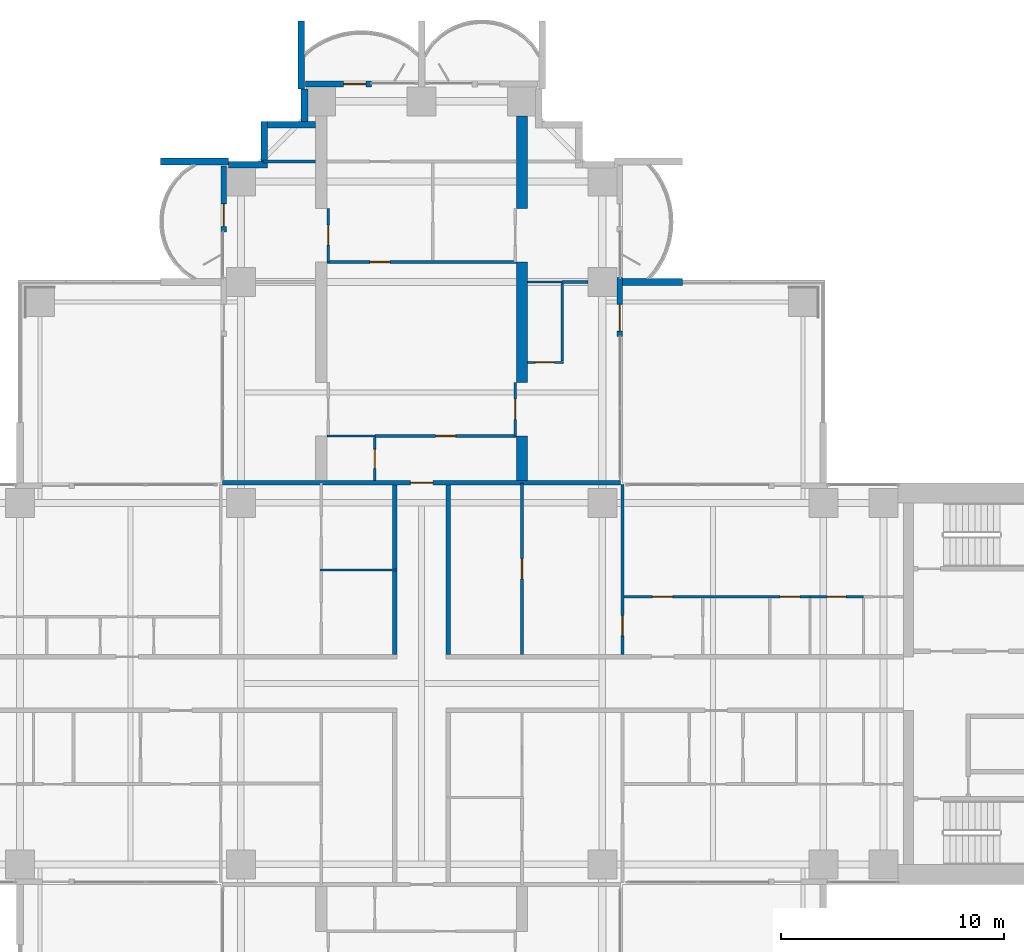
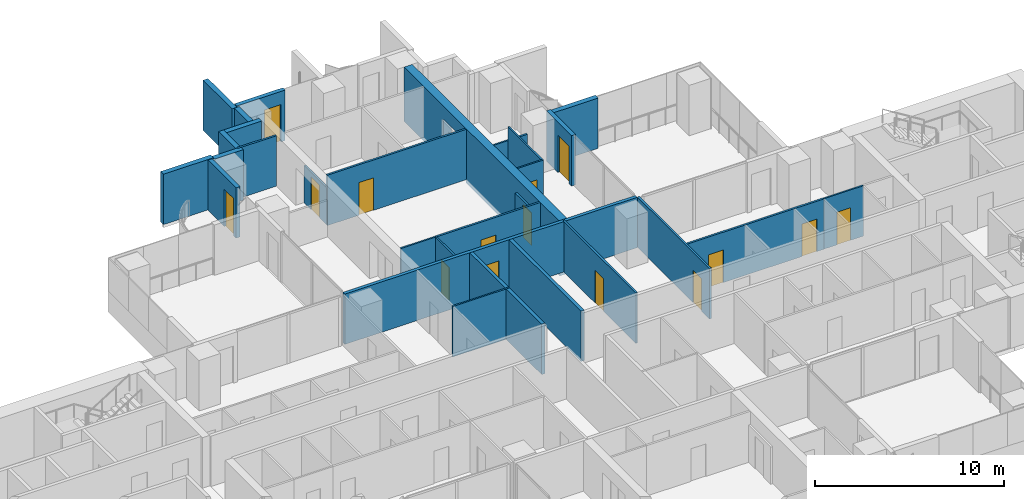
# One storey, part 14 of 21: 30 walls, 15 doors, 15 openings.
"""IFC4 building model written with IfcOpenShell, lengths in metres."""

import ifcopenshell
import ifcopenshell.guid

model = None  # the IFC model being written
_history = None  # IfcOwnerHistory: only IFC2X3 demands one
_inside = {}  # id of a spatial element -> (the spatial element, [elements in it])
_under = {}  # id of a project, library or spatial element -> (it, [spatial elements below it])
_declared = {}  # id of a project -> (the project, [libraries it declares])
_typed = {}  # id of a type object -> (the type object, [elements of that type])
_made_of = {}  # id of a material, layer set ... -> (it, [elements and type objects made of it])


def new_model(schema):
    """Start an empty IFC model of exactly this schema.

    Asked for "IFC4X3", IfcOpenShell would pick the latest addendum, in which some entities
    have other attributes; the version numbers below select the first issue.
    IFC2X3 requires an IfcOwnerHistory on every rooted entity: one is made here for all.
    """
    global model, _history
    if schema == "IFC4X3":
        model = ifcopenshell.file(schema_version=(4, 3, 0, 0))
    else:
        model = ifcopenshell.file(schema=schema)
    _inside.clear()
    _under.clear()
    _declared.clear()
    _typed.clear()
    _made_of.clear()
    _history = None
    if model.schema == "IFC2X3":
        org = make("IfcOrganization", Name="unknown")
        user = make(
            "IfcPersonAndOrganization",
            ThePerson=make("IfcPerson", FamilyName="unknown"),
            TheOrganization=org,
        )
        app = make(
            "IfcApplication",
            ApplicationDeveloper=org,
            Version="unknown",
            ApplicationFullName="unknown",
            ApplicationIdentifier="unknown",
        )
        _history = make(
            "IfcOwnerHistory",
            OwningUser=user,
            OwningApplication=app,
            ChangeAction="ADDED",
            CreationDate=0,
        )
    return model


def make(cls, **values):
    """One entity of the class cls with the attributes given. An attribute that is None is left unset."""
    return model.create_entity(
        cls, **{name: value for name, value in values.items() if value is not None}
    )


def rooted(cls, **values):
    """An entity with a GlobalId (a new one), such as an element, a storey or a relation."""
    return make(cls, GlobalId=ifcopenshell.guid.new(), OwnerHistory=_history, **values)


def si_unit(unit_type, name, prefix=None):
    """IfcSIUnit, for example si_unit("LENGTHUNIT", "METRE", prefix="MILLI")."""
    return make("IfcSIUnit", UnitType=unit_type, Prefix=prefix, Name=name)


def assignment(units):
    """IfcUnitAssignment: the units of a project."""
    return None if units is None else make("IfcUnitAssignment", Units=units)


def point(xyz):
    """IfcCartesianPoint."""
    return None if xyz is None else make("IfcCartesianPoint", Coordinates=xyz)


def direction(xyz):
    """IfcDirection."""
    return None if xyz is None else make("IfcDirection", DirectionRatios=xyz)


def frame(location, z_axis=None, x_axis=None):
    """IfcAxis2Placement3D, a coordinate frame: its origin and axes. An axis left out is left unset."""
    return make(
        "IfcAxis2Placement3D",
        Location=point(location),
        Axis=direction(z_axis),
        RefDirection=direction(x_axis),
    )


def frame_2d(location, x_axis=None):
    """IfcAxis2Placement2D, a coordinate frame in the plane: its origin and x axis."""
    return make(
        "IfcAxis2Placement2D", Location=point(location), RefDirection=direction(x_axis)
    )


def origin():
    """The frame at (0, 0, 0) with its axes left unset."""
    return frame((0.0, 0.0, 0.0))


def place(relative_to, where):
    """IfcLocalPlacement: puts the frame where relative to a parent placement (None: the world)."""
    return make(
        "IfcLocalPlacement", PlacementRelTo=relative_to, RelativePlacement=where
    )


def context(
    kind, dimensions, precision=None, world=None, true_north=None, identifier=None
):
    """IfcGeometricRepresentationContext, for example the 3D "Model" context."""
    return make(
        "IfcGeometricRepresentationContext",
        ContextIdentifier=identifier,
        ContextType=kind,
        CoordinateSpaceDimension=dimensions,
        Precision=precision,
        WorldCoordinateSystem=world,
        TrueNorth=true_north,
    )


def subcontext(parent, identifier, kind, view, scale=None):
    """IfcGeometricRepresentationSubContext, for example "Body" below "Model"."""
    return make(
        "IfcGeometricRepresentationSubContext",
        ContextIdentifier=identifier,
        ContextType=kind,
        ParentContext=parent,
        TargetScale=scale,
        TargetView=view,
    )


def project(units=None, contexts=None):
    """IfcProject with its units and contexts."""
    return rooted(
        "IfcProject",
        Name="project",
        RepresentationContexts=contexts,
        UnitsInContext=assignment(units),
    )


def spatial(cls, under=None, at=None, **own):
    """A site, building, storey or space (cls), placed at a placement, below another one or the project."""
    s = rooted(cls, ObjectPlacement=at, **own)
    if under is not None:
        _under.setdefault(under.id(), (under, []))[1].append(s)
    return s


def polyline(points):
    """IfcPolyline through the points."""
    return make("IfcPolyline", Points=[point(p) for p in points])


def profile(cls, at=None, kind="AREA", **sizes):
    """A parametric profile (cls). Its sizes go by their IFC names, for example OverallWidth=200.0."""
    return make(cls, ProfileType=kind, Position=at, **sizes)


def rectangle(**sizes):
    """IfcRectangleProfileDef."""
    return profile("IfcRectangleProfileDef", **sizes)


def outline(outer, holes=None, kind="AREA"):
    """IfcArbitraryClosedProfileDef: a profile drawn as a closed curve; with holes, ...WithVoids."""
    if holes is None:
        return make("IfcArbitraryClosedProfileDef", ProfileType=kind, OuterCurve=outer)
    return make(
        "IfcArbitraryProfileDefWithVoids",
        ProfileType=kind,
        OuterCurve=outer,
        InnerCurves=holes,
    )


def extrude(swept, where, along, depth):
    """IfcExtrudedAreaSolid: the profile swept, set in the frame where, extruded along a direction by depth."""
    return make(
        "IfcExtrudedAreaSolid",
        SweptArea=swept,
        Position=where,
        ExtrudedDirection=direction(along),
        Depth=depth,
    )


def shape(context_of_items, identifier, shape_type, items):
    """IfcShapeRepresentation: the items that make up one representation, for example the "Body"."""
    return make(
        "IfcShapeRepresentation",
        ContextOfItems=context_of_items,
        RepresentationIdentifier=identifier,
        RepresentationType=shape_type,
        Items=items,
    )


def material(Name=None, Category=None):
    """IfcMaterial."""
    return make("IfcMaterial", Name=Name, Category=Category)


def layer(
    of_material, thickness, ventilated=None, Name=None, Category=None, Priority=None
):
    """IfcMaterialLayer: one layer of a wall or slab, of a material (None: an air gap)."""
    return make(
        "IfcMaterialLayer",
        Material=of_material,
        LayerThickness=thickness,
        IsVentilated=ventilated,
        Name=Name,
        Category=Category,
        Priority=Priority,
    )


def layer_set(layers, Name=None):
    """IfcMaterialLayerSet."""
    return make("IfcMaterialLayerSet", MaterialLayers=layers, LayerSetName=Name)


def material_profile(
    of_material, cross_section, Name=None, Category=None, Priority=None
):
    """IfcMaterialProfile: a cross section and its material."""
    return make(
        "IfcMaterialProfile",
        Name=Name,
        Material=of_material,
        Profile=cross_section,
        Priority=Priority,
        Category=Category,
    )


def profile_set(profiles, Name=None, composite=None):
    """IfcMaterialProfileSet."""
    return make(
        "IfcMaterialProfileSet",
        Name=Name,
        MaterialProfiles=profiles,
        CompositeProfile=composite,
    )


def made_of(thing, what):
    """Note that an element or type object is made of a material, layer set ...; save() writes the relation."""
    if what is not None:
        _made_of.setdefault(what.id(), (what, []))[1].append(thing)
    return thing


def type_object(cls, material=None, **own):
    """A type object (cls), such as IfcWallType, which elements share."""
    return made_of(rooted(cls, **own), material)


def element(
    cls,
    number,
    at=None,
    inside=None,
    cuts=None,
    type_object=None,
    material=None,
    context=None,
    identifier="Body",
    shape_type=None,
    held_by="IfcProductDefinitionShape",
    body=None,
    shapes=None,
    **own,
):
    """One element of the class cls, such as IfcWall. Its Tag is "e" and its number.

    at: its placement. inside: the storey or other place that contains it. cuts: it is an
    opening in that element (IfcRelVoidsElement). A single representation is given by context,
    identifier, shape_type and body (its items); several are given by shapes. held_by: the class
    of the entity that holds the representations. save() writes the other relations.
    """
    e = rooted(cls, Tag="e%d" % number, ObjectPlacement=at, **own)
    if body is not None:
        shapes = [shape(context, identifier, shape_type, body)]
    if shapes is not None:
        e.Representation = make(held_by, Representations=shapes)
    if inside is not None:
        _inside.setdefault(inside.id(), (inside, []))[1].append(e)
    if cuts is not None:
        rooted(
            "IfcRelVoidsElement", RelatingBuildingElement=cuts, RelatedOpeningElement=e
        )
    if type_object is not None:
        _typed.setdefault(type_object.id(), (type_object, []))[1].append(e)
    return made_of(e, material)


def fill(opening, filler):
    """IfcRelFillsElement: the door or window that sits in an opening."""
    return rooted(
        "IfcRelFillsElement",
        RelatingOpeningElement=opening,
        RelatedBuildingElement=filler,
    )


def aggregate(whole, parts):
    """IfcRelAggregates: a whole, such as a stair, and the parts it consists of."""
    return rooted("IfcRelAggregates", RelatingObject=whole, RelatedObjects=parts)


def save(model, path):
    """Write the relations noted so far, then the file.

    IfcRelAggregates (storeys below a building ...), IfcRelContainedInSpatialStructure (elements
    in a storey), IfcRelDefinesByType, IfcRelAssociatesMaterial and IfcRelDeclares: one each for
    every whole, place, type object, material and project.
    """
    for whole, parts in _under.values():
        aggregate(whole, parts)
    for where, things in _inside.values():
        rooted(
            "IfcRelContainedInSpatialStructure",
            RelatedElements=things,
            RelatingStructure=where,
        )
    for kind, things in _typed.values():
        rooted("IfcRelDefinesByType", RelatedObjects=things, RelatingType=kind)
    for what, things in _made_of.values():
        rooted("IfcRelAssociatesMaterial", RelatedObjects=things, RelatingMaterial=what)
    for by, libraries in _declared.values():
        rooted("IfcRelDeclares", RelatingContext=by, RelatedDefinitions=libraries)
    model.write(path)


model = new_model("IFC4")

# Units and contexts
model_context = context("Model", 3, precision=1e-05, world=origin(), true_north=direction((0.0, 1.0)))
body_context = subcontext(model_context, "Body", "Model", "MODEL_VIEW")
ifc_project = project(units=[si_unit("LENGTHUNIT", "METRE"), si_unit("AREAUNIT", "SQUARE_METRE"), si_unit("VOLUMEUNIT", "CUBIC_METRE"), si_unit("PLANEANGLEUNIT", "RADIAN"), si_unit("MASSUNIT", "GRAM", prefix="KILO")], contexts=[model_context])

# Site, building, storey
site_placement = place(None, origin())
site = spatial("IfcSite", under=ifc_project, at=site_placement, CompositionType="ELEMENT")
building_placement = place(site_placement, origin())
building = spatial("IfcBuilding", under=site, at=building_placement, Name="Perihelion Cross Residences", CompositionType="ELEMENT")
storey_placement = place(building_placement, frame((0.0, 0.0, 47.0)))
storey = spatial("IfcBuildingStorey", under=building, at=storey_placement, Name="L08", CompositionType="ELEMENT", Elevation=47.0)

# Walls
ifc_material_1 = material(Name="Plasterboard partition")
ifc_layer_1 = layer(ifc_material_1, 0.199951171875)
ifc_layer_set_1 = layer_set([ifc_layer_1], Name="Apartment separation wall 200")
wall_type_1 = type_object("IfcWallType", Name="Apartment separation wall 200", PredefinedType="PARTITIONING", material=ifc_layer_set_1)
for number, where, z_axis, x_axis, name in (
    (1, (1.199951171875, 8.89990234375, 0.0), (0.0, 0.0, 1.0), (0.0, -1.0, 0.0), "Partition L08 W002"),
    (2, (-1.199951171875, 1.300048828125, 0.0), (0.0, 0.0, 1.0), (0.0, 1.0, 0.0), "Partition L08 W006"),
):
    element("IfcWall", number, at=place(storey_placement, frame(where, z_axis=z_axis, x_axis=x_axis)), inside=storey, type_object=wall_type_1, Name=name, PredefinedType="PARTITIONING", context=body_context, shape_type="SweptSolid", body=[
        extrude(rectangle(XDim=7.599853515625, YDim=0.199951171875, at=frame_2d((3.7998046875, 0.0))), origin(), (0.0, 0.0, 1.0), 3.25),
    ])

# Wall, opening, door
wall_1_placement = place(storey_placement, frame((-8.919921875, 9.0, 0.0), z_axis=(0.0, 0.0, 1.0), x_axis=(1.0, 0.0, 0.0)))
wall_1 = element("IfcWall", 3, at=wall_1_placement, inside=storey, type_object=wall_type_1, Name="Partition L08 W009", PredefinedType="PARTITIONING", context=body_context, shape_type="SweptSolid", body=[
    extrude(rectangle(XDim=17.83984375, YDim=0.199951171875, at=frame_2d((8.919921875, 0.0))), origin(), (0.0, 0.0, 1.0), 3.25),
])
opening_1_placement = place(wall_1_placement, frame((8.419921875, 0.0, 0.0)))
opening_1 = element("IfcOpeningElement", 4, at=opening_1_placement, cuts=wall_1, Name="Opening L08.A32", PredefinedType="OPENING", context=body_context, shape_type="SweptSolid", body=[
    extrude(rectangle(XDim=1.0, YDim=2.10009765625, at=frame_2d((0.5, 1.050048828125))), frame((0.0, 0.10986328125, 0.0), z_axis=(0.0, -1.0, 0.0), x_axis=(1.0, 0.0, 0.0)), (0.0, 0.0, 1.0), 0.219970703125),
])
ifc_material_2 = material(Name="Timber door leaf", Category="wood")
door_type_1 = type_object("IfcDoorType", Name="Flat entrance door 1000 x 2100", OperationType="SINGLE_SWING_LEFT", PredefinedType="DOOR", material=ifc_material_2)
door_1_placement = place(opening_1_placement, origin())
door_1 = element("IfcDoor", 5, at=door_1_placement, inside=storey, type_object=door_type_1, Name="Door L08.A32", OperationType="SINGLE_SWING_RIGHT", OverallHeight=2.10009765625, OverallWidth=1.0, PredefinedType="DOOR", context=body_context, shape_type="SweptSolid", body=[
    extrude(rectangle(XDim=1.0, YDim=2.10009765625, at=frame_2d((0.5, 1.050048828125))), frame((0.0, 0.02490234375, 0.0), z_axis=(0.0, -1.0, 0.0), x_axis=(1.0, 0.0, 0.0)), (0.0, 0.0, 1.0), 0.050048828125),
])
fill(opening_1, door_1)

ifc_material_3 = material(Name="Concrete C30/37, bronze-clad", Category="concrete")
ifc_layer_2 = layer(ifc_material_3, 0.25)
ifc_layer_set_2 = layer_set([ifc_layer_2], Name="Bronze-clad pier wall 250")
wall_type_2 = type_object("IfcWallType", Name="Bronze-clad pier wall 250", PredefinedType="SOLIDWALL", material=ifc_layer_set_2)
wall_2_placement = place(storey_placement, frame((8.875, 15.550048828125, 0.0), z_axis=(0.0, 0.0, 1.0), x_axis=(0.0, 1.0, 0.0)))
wall_2 = element("IfcWall", 6, at=wall_2_placement, inside=storey, type_object=wall_type_2, Name="Wall FW1 L08 north side east bay 1 pier", PredefinedType="SOLIDWALL", context=body_context, shape_type="SweptSolid", body=[
    extrude(rectangle(XDim=2.64990234375, YDim=0.25, at=frame_2d((1.324951171875, 0.0))), origin(), (0.0, 0.0, 1.0), 3.25),
])
opening_2_placement = place(wall_2_placement, frame((0.25, 0.0, 0.0)))
opening_2 = element("IfcOpeningElement", 7, at=opening_2_placement, cuts=wall_2, Name="Opening L08.E02", PredefinedType="OPENING", context=body_context, shape_type="SweptSolid", body=[
    extrude(rectangle(XDim=1.199951171875, YDim=2.39990234375, at=frame_2d((0.60009765625, 1.199951171875))), frame((0.0, 0.135009765625, 0.0), z_axis=(0.0, -1.0, 0.0), x_axis=(1.0, 0.0, 0.0)), (0.0, 0.0, 1.0), 0.27001953125),
])
ifc_material_4 = material(Name="Bronze anodised aluminium, glazed", Category="aluminium")
door_type_2 = type_object("IfcDoorType", Name="Balcony door 1200 x 2400", OperationType="NOTDEFINED", PredefinedType="DOOR", material=ifc_material_4)
door_2_placement = place(opening_2_placement, origin())
door_2 = element("IfcDoor", 8, at=door_2_placement, inside=storey, type_object=door_type_2, Name="Door L08.E02 north side east bay 1", OperationType="SINGLE_SWING_LEFT", OverallHeight=2.39990234375, OverallWidth=1.199951171875, PredefinedType="DOOR", context=body_context, shape_type="SweptSolid", body=[
    extrude(rectangle(XDim=1.199951171875, YDim=2.39990234375, at=frame_2d((0.60009765625, 1.199951171875))), frame((0.0, 0.02490234375, 0.0), z_axis=(0.0, -1.0, 0.0), x_axis=(1.0, 0.0, 0.0)), (0.0, 0.0, 1.0), 0.050048828125),
])
fill(opening_2, door_2)

wall_3_placement = place(storey_placement, frame((-2.25, 26.875, 0.0), z_axis=(0.0, 0.0, 1.0), x_axis=(-1.0, 0.0, 0.0)))
wall_3 = element("IfcWall", 9, at=wall_3_placement, inside=storey, type_object=wall_type_2, Name="Wall FW1 L08 north tip north bay 2 pier", PredefinedType="SOLIDWALL", context=body_context, shape_type="SweptSolid", body=[
    extrude(rectangle(XDim=2.949951171875, YDim=0.25, at=frame_2d((1.47509765625, 0.0))), origin(), (0.0, 0.0, 1.0), 3.25),
])
opening_3_placement = place(wall_3_placement, frame((0.25, 0.0, 0.0)))
opening_3 = element("IfcOpeningElement", 10, at=opening_3_placement, cuts=wall_3, Name="Opening L08.E05", PredefinedType="OPENING", context=body_context, shape_type="SweptSolid", body=[
    extrude(rectangle(XDim=1.0, YDim=2.39990234375, at=frame_2d((0.5, 1.199951171875))), frame((0.0, 0.135009765625, 0.0), z_axis=(0.0, -1.0, 0.0), x_axis=(1.0, 0.0, 0.0)), (0.0, 0.0, 1.0), 0.27001953125),
])
ifc_material_5 = material(Name="Bronze anodised aluminium, glazed", Category="aluminium")
door_type_3 = type_object("IfcDoorType", Name="Balcony door 1000 x 2400", OperationType="NOTDEFINED", PredefinedType="DOOR", material=ifc_material_5)
door_3_placement = place(opening_3_placement, origin())
door_3 = element("IfcDoor", 11, at=door_3_placement, inside=storey, type_object=door_type_3, Name="Door L08.E05 north tip north bay 2", OperationType="SINGLE_SWING_RIGHT", OverallHeight=2.39990234375, OverallWidth=1.0, PredefinedType="DOOR", context=body_context, shape_type="SweptSolid", body=[
    extrude(rectangle(XDim=1.0, YDim=2.39990234375, at=frame_2d((0.5, 1.199951171875))), frame((0.0, 0.02490234375, 0.0), z_axis=(0.0, -1.0, 0.0), x_axis=(1.0, 0.0, 0.0)), (0.0, 0.0, 1.0), 0.050048828125),
])
fill(opening_3, door_3)

wall_4_placement = place(storey_placement, frame((-8.875, 23.199951171875, 0.0), z_axis=(0.0, 0.0, 1.0), x_axis=(0.0, -1.0, 0.0)))
wall_4 = element("IfcWall", 12, at=wall_4_placement, inside=storey, type_object=wall_type_2, Name="Wall FW1 L08 north side west bay 1 pier", PredefinedType="SOLIDWALL", context=body_context, shape_type="SweptSolid", body=[
    extrude(rectangle(XDim=2.949951171875, YDim=0.25, at=frame_2d((1.47509765625, 0.0))), origin(), (0.0, 0.0, 1.0), 3.25),
])
opening_4_placement = place(wall_4_placement, frame((1.699951171875, 0.0, 0.0)))
opening_4 = element("IfcOpeningElement", 13, at=opening_4_placement, cuts=wall_4, Name="Opening L08.E06", PredefinedType="OPENING", context=body_context, shape_type="SweptSolid", body=[
    extrude(rectangle(XDim=1.0, YDim=2.39990234375, at=frame_2d((0.5, 1.199951171875))), frame((0.0, 0.135009765625, 0.0), z_axis=(0.0, -1.0, 0.0), x_axis=(1.0, 0.0, 0.0)), (0.0, 0.0, 1.0), 0.27001953125),
])
door_4_placement = place(opening_4_placement, origin())
door_4 = element("IfcDoor", 14, at=door_4_placement, inside=storey, type_object=door_type_3, Name="Door L08.E06 north side west bay 1", OperationType="SINGLE_SWING_LEFT", OverallHeight=2.39990234375, OverallWidth=1.0, PredefinedType="DOOR", context=body_context, shape_type="SweptSolid", body=[
    extrude(rectangle(XDim=1.0, YDim=2.39990234375, at=frame_2d((0.5, 1.199951171875))), frame((0.0, 0.02490234375, 0.0), z_axis=(0.0, -1.0, 0.0), x_axis=(1.0, 0.0, 0.0)), (0.0, 0.0, 1.0), 0.050048828125),
])
fill(opening_4, door_4)

# Walls
ifc_material_6 = material(Name="Concrete C30/37, bronze-clad", Category="concrete")
ifc_layer_3 = layer(ifc_material_6, 0.300048828125)
ifc_layer_set_3 = layer_set([ifc_layer_3], Name="Bronze-clad serration wall 300")
wall_type_3 = type_object("IfcWallType", Name="Bronze-clad serration wall 300", PredefinedType="SOLIDWALL", material=ifc_layer_set_3)
wall_5_placement = place(storey_placement, frame((-5.25, 26.64990234375, 0.0), z_axis=(0.0, 0.0, 1.0), x_axis=(0.0, -1.0, 0.0)))
element("IfcWall", 15, at=wall_5_placement, inside=storey, type_object=wall_type_3, Name="Wall SR1 L08 north corner north-west 1", PredefinedType="SOLIDWALL", context=body_context, shape_type="SweptSolid", body=[
    extrude(rectangle(XDim=1.449951171875, YDim=0.300048828125, at=frame_2d((0.72509765625, 0.0))), origin(), (0.0, 0.0, 1.0), 3.25),
])
wall_6_placement = place(storey_placement, frame((-4.75, 25.050048828125, 0.0), z_axis=(0.0, 0.0, 1.0), x_axis=(-1.0, 0.0, 0.0)))
element("IfcWall", 16, at=wall_6_placement, inside=storey, type_object=wall_type_3, Name="Wall SR1 L08 north corner north-west 2", PredefinedType="SOLIDWALL", context=body_context, shape_type="SweptSolid", body=[
    extrude(rectangle(XDim=2.14990234375, YDim=0.300048828125, at=frame_2d((1.074951171875, 0.0))), origin(), (0.0, 0.0, 1.0), 3.25),
])
wall_7_placement = place(storey_placement, frame((-7.050048828125, 25.199951171875, 0.0), z_axis=(0.0, 0.0, 1.0), x_axis=(0.0, -1.0, 0.0)))
element("IfcWall", 17, at=wall_7_placement, inside=storey, type_object=wall_type_3, Name="Wall SR1 L08 north corner north-west 3", PredefinedType="SOLIDWALL", context=body_context, shape_type="SweptSolid", body=[
    extrude(rectangle(XDim=1.800048828125, YDim=0.300048828125, at=frame_2d((0.89990234375, 0.0))), origin(), (0.0, 0.0, 1.0), 3.25),
])
wall_8_placement = place(storey_placement, frame((-6.89990234375, 23.25, 0.0), z_axis=(0.0, 0.0, 1.0), x_axis=(-1.0, 0.0, 0.0)))
element("IfcWall", 18, at=wall_8_placement, inside=storey, type_object=wall_type_3, Name="Wall SR1 L08 north corner north-west 4", PredefinedType="SOLIDWALL", context=body_context, shape_type="SweptSolid", body=[
    extrude(rectangle(XDim=1.75, YDim=0.300048828125, at=frame_2d((0.875, 0.0))), origin(), (0.0, 0.0, 1.0), 3.25),
])

# Wall, opening, door
ifc_material_7 = material(Name="Plasterboard partition")
ifc_layer_4 = layer(ifc_material_7, 0.1201171875)
ifc_layer_set_4 = layer_set([ifc_layer_4], Name="Infill panel 120")
wall_type_4 = type_object("IfcWallType", Name="Infill panel 120", PredefinedType="PARTITIONING", material=ifc_layer_set_4)
wall_9_placement = place(storey_placement, frame((4.18994140625, 11.10009765625, 0.0), z_axis=(0.0, 0.0, 1.0), x_axis=(0.0, 1.0, 0.0)))
wall_9 = element("IfcWall", 19, at=wall_9_placement, inside=storey, type_object=wall_type_4, Name="Partition L08 WI01", PredefinedType="PARTITIONING", context=body_context, shape_type="SweptSolid", body=[
    extrude(rectangle(XDim=2.39990234375, YDim=0.1201171875, at=frame_2d((1.199951171875, 0.0))), origin(), (0.0, 0.0, 1.0), 2.39990234375),
])
opening_5_placement = place(wall_9_placement, frame((0.75, 0.0, 0.0)))
opening_5 = element("IfcOpeningElement", 20, at=opening_5_placement, cuts=wall_9, Name="Opening L08.A51", PredefinedType="OPENING", context=body_context, shape_type="SweptSolid", body=[
    extrude(rectangle(XDim=0.89990234375, YDim=2.10009765625, at=frame_2d((0.449951171875, 1.050048828125))), frame((0.0, 0.070068359375, 0.0), z_axis=(0.0, -1.0, 0.0), x_axis=(1.0, 0.0, 0.0)), (0.0, 0.0, 1.0), 0.14013671875),
])
ifc_material_8 = material(Name="Timber door leaf", Category="wood")
door_type_4 = type_object("IfcDoorType", Name="Interior room door 900 x 2100", OperationType="SINGLE_SWING_LEFT", PredefinedType="DOOR", material=ifc_material_8)
door_5_placement = place(opening_5_placement, origin())
door_5 = element("IfcDoor", 21, at=door_5_placement, inside=storey, type_object=door_type_4, Name="Door L08.A51", OperationType="SINGLE_SWING_LEFT", OverallHeight=2.10009765625, OverallWidth=0.89990234375, PredefinedType="DOOR", context=body_context, shape_type="SweptSolid", body=[
    extrude(rectangle(XDim=0.89990234375, YDim=2.10009765625, at=frame_2d((0.449951171875, 1.050048828125))), frame((0.0, 0.02490234375, 0.0), z_axis=(0.0, -1.0, 0.0), x_axis=(1.0, 0.0, 0.0)), (0.0, 0.0, 1.0), 0.050048828125),
])
fill(opening_5, door_5)

wall_10_placement = place(storey_placement, frame((-4.18994140625, 18.89990234375, 0.0), z_axis=(0.0, 0.0, 1.0), x_axis=(0.0, 1.0, 0.0)))
wall_10 = element("IfcWall", 22, at=wall_10_placement, inside=storey, type_object=wall_type_4, Name="Partition L08 WI04", PredefinedType="PARTITIONING", context=body_context, shape_type="SweptSolid", body=[
    extrude(rectangle(XDim=2.400146484375, YDim=0.1201171875, at=frame_2d((1.2001953125, 0.0))), origin(), (0.0, 0.0, 1.0), 2.39990234375),
])
opening_6_placement = place(wall_10_placement, frame((0.75, 0.0, 0.0)))
opening_6 = element("IfcOpeningElement", 23, at=opening_6_placement, cuts=wall_10, Name="Opening L08.A54", PredefinedType="OPENING", context=body_context, shape_type="SweptSolid", body=[
    extrude(rectangle(XDim=0.89990234375, YDim=2.10009765625, at=frame_2d((0.449951171875, 1.050048828125))), frame((0.0, 0.070068359375, 0.0), z_axis=(0.0, -1.0, 0.0), x_axis=(1.0, 0.0, 0.0)), (0.0, 0.0, 1.0), 0.14013671875),
])
door_6_placement = place(opening_6_placement, origin())
door_6 = element("IfcDoor", 24, at=door_6_placement, inside=storey, type_object=door_type_4, Name="Door L08.A54", OperationType="SINGLE_SWING_LEFT", OverallHeight=2.10009765625, OverallWidth=0.89990234375, PredefinedType="DOOR", context=body_context, shape_type="SweptSolid", body=[
    extrude(rectangle(XDim=0.89990234375, YDim=2.10009765625, at=frame_2d((0.449951171875, 1.050048828125))), frame((0.0, 0.02490234375, 0.0), z_axis=(0.0, -1.0, 0.0), x_axis=(1.0, 0.0, 0.0)), (0.0, 0.0, 1.0), 0.050048828125),
])
fill(opening_6, door_6)

# Wall, openings, doors
ifc_material_9 = material(Name="Plasterboard partition")
ifc_layer_5 = layer(ifc_material_9, 0.1201171875)
ifc_layer_set_5 = layer_set([ifc_layer_5], Name="Partition wall 120")
wall_type_5 = type_object("IfcWallType", Name="Partition wall 120", PredefinedType="PARTITIONING", material=ifc_layer_set_5)
wall_11_placement = place(storey_placement, frame((8.93994140625, 3.89990234375, 0.0), z_axis=(0.0, 0.0, 1.0), x_axis=(1.0, 0.0, 0.0)))
wall_11 = element("IfcWall", 25, at=wall_11_placement, inside=storey, type_object=wall_type_5, Name="Partition L08 W012", PredefinedType="PARTITIONING", context=body_context, shape_type="SweptSolid", body=[
    extrude(rectangle(XDim=8.4599609375, YDim=0.1201171875, at=frame_2d((4.22998046875, 0.0))), origin(), (0.0, 0.0, 1.0), 3.25),
])
opening_7_placement = place(wall_11_placement, frame((7.110107421875, 0.0, 0.0)))
opening_7 = element("IfcOpeningElement", 26, at=opening_7_placement, cuts=wall_11, Name="Opening L08.A05", PredefinedType="OPENING", context=body_context, shape_type="SweptSolid", body=[
    extrude(rectangle(XDim=0.89990234375, YDim=2.10009765625, at=frame_2d((0.449951171875, 1.050048828125))), frame((0.0, 0.070068359375, 0.0), z_axis=(0.0, -1.0, 0.0), x_axis=(1.0, 0.0, 0.0)), (0.0, 0.0, 1.0), 0.14013671875),
])
opening_8_placement = place(wall_11_placement, frame((1.409912109375, 0.0, 0.0)))
opening_8 = element("IfcOpeningElement", 27, at=opening_8_placement, cuts=wall_11, Name="Opening L08.A06", PredefinedType="OPENING", context=body_context, shape_type="SweptSolid", body=[
    extrude(rectangle(XDim=0.89990234375, YDim=2.10009765625, at=frame_2d((0.449951171875, 1.050048828125))), frame((0.0, 0.070068359375, 0.0), z_axis=(0.0, -1.0, 0.0), x_axis=(1.0, 0.0, 0.0)), (0.0, 0.0, 1.0), 0.14013671875),
])
door_7_placement = place(opening_7_placement, origin())
door_7 = element("IfcDoor", 28, at=door_7_placement, inside=storey, type_object=door_type_4, Name="Door L08.A05", OperationType="SINGLE_SWING_RIGHT", OverallHeight=2.10009765625, OverallWidth=0.89990234375, PredefinedType="DOOR", context=body_context, shape_type="SweptSolid", body=[
    extrude(rectangle(XDim=0.89990234375, YDim=2.10009765625, at=frame_2d((0.449951171875, 1.050048828125))), frame((0.0, 0.02490234375, 0.0), z_axis=(0.0, -1.0, 0.0), x_axis=(1.0, 0.0, 0.0)), (0.0, 0.0, 1.0), 0.050048828125),
])
fill(opening_7, door_7)
door_8_placement = place(opening_8_placement, origin())
door_8 = element("IfcDoor", 29, at=door_8_placement, inside=storey, type_object=door_type_4, Name="Door L08.A06", OperationType="SINGLE_SWING_LEFT", OverallHeight=2.10009765625, OverallWidth=0.89990234375, PredefinedType="DOOR", context=body_context, shape_type="SweptSolid", body=[
    extrude(rectangle(XDim=0.89990234375, YDim=2.10009765625, at=frame_2d((0.449951171875, 1.050048828125))), frame((0.0, 0.02490234375, 0.0), z_axis=(0.0, -1.0, 0.0), x_axis=(1.0, 0.0, 0.0)), (0.0, 0.0, 1.0), 0.050048828125),
])
fill(opening_8, door_8)

# Wall, opening, door
wall_12_placement = place(storey_placement, frame((9.0, 1.300048828125, 0.0), z_axis=(0.0, 0.0, 1.0), x_axis=(0.0, 1.0, 0.0)))
wall_12 = element("IfcWall", 30, at=wall_12_placement, inside=storey, type_object=wall_type_5, Name="Partition L08 W013", PredefinedType="PARTITIONING", context=body_context, shape_type="SweptSolid", body=[
    extrude(rectangle(XDim=7.619873046875, YDim=0.1201171875, at=frame_2d((3.81005859375, 0.0))), origin(), (0.0, 0.0, 1.0), 3.25),
])
opening_9_placement = place(wall_12_placement, frame((0.85009765625, 0.0, 0.0)))
opening_9 = element("IfcOpeningElement", 31, at=opening_9_placement, cuts=wall_12, Name="Opening L08.A07", PredefinedType="OPENING", context=body_context, shape_type="SweptSolid", body=[
    extrude(rectangle(XDim=0.89990234375, YDim=2.10009765625, at=frame_2d((0.449951171875, 1.050048828125))), frame((0.0, 0.070068359375, 0.0), z_axis=(0.0, -1.0, 0.0), x_axis=(1.0, 0.0, 0.0)), (0.0, 0.0, 1.0), 0.14013671875),
])
door_9_placement = place(opening_9_placement, origin())
door_9 = element("IfcDoor", 32, at=door_9_placement, inside=storey, type_object=door_type_4, Name="Door L08.A07", OperationType="SINGLE_SWING_LEFT", OverallHeight=2.10009765625, OverallWidth=0.89990234375, PredefinedType="DOOR", context=body_context, shape_type="SweptSolid", body=[
    extrude(rectangle(XDim=0.89990234375, YDim=2.10009765625, at=frame_2d((0.449951171875, 1.050048828125))), frame((0.0, 0.02490234375, 0.0), z_axis=(0.0, -1.0, 0.0), x_axis=(1.0, 0.0, 0.0)), (0.0, 0.0, 1.0), 0.050048828125),
])
fill(opening_9, door_9)

wall_13_placement = place(storey_placement, frame((4.5, 1.300048828125, 0.0), z_axis=(0.0, 0.0, 1.0), x_axis=(0.0, 1.0, 0.0)))
wall_13 = element("IfcWall", 33, at=wall_13_placement, inside=storey, type_object=wall_type_5, Name="Partition L08 W019", PredefinedType="PARTITIONING", context=body_context, shape_type="SweptSolid", body=[
    extrude(rectangle(XDim=7.699951171875, YDim=0.1201171875, at=frame_2d((3.85009765625, 0.0))), origin(), (0.0, 0.0, 1.0), 3.25),
])
opening_10_placement = place(wall_13_placement, frame((3.39990234375, 0.0, 0.0)))
opening_10 = element("IfcOpeningElement", 34, at=opening_10_placement, cuts=wall_13, Name="Opening L08.A02", PredefinedType="OPENING", context=body_context, shape_type="SweptSolid", body=[
    extrude(rectangle(XDim=0.89990234375, YDim=2.10009765625, at=frame_2d((0.449951171875, 1.050048828125))), frame((0.0, 0.070068359375, 0.0), z_axis=(0.0, -1.0, 0.0), x_axis=(1.0, 0.0, 0.0)), (0.0, 0.0, 1.0), 0.14013671875),
])
door_10_placement = place(opening_10_placement, origin())
door_10 = element("IfcDoor", 35, at=door_10_placement, inside=storey, type_object=door_type_4, Name="Door L08.A02", OperationType="SINGLE_SWING_LEFT", OverallHeight=2.10009765625, OverallWidth=0.89990234375, PredefinedType="DOOR", context=body_context, shape_type="SweptSolid", body=[
    extrude(rectangle(XDim=0.89990234375, YDim=2.10009765625, at=frame_2d((0.449951171875, 1.050048828125))), frame((0.0, 0.02490234375, 0.0), z_axis=(0.0, -1.0, 0.0), x_axis=(1.0, 0.0, 0.0)), (0.0, 0.0, 1.0), 0.050048828125),
])
fill(opening_10, door_10)

wall_14_placement = place(storey_placement, frame((-2.10009765625, 11.10009765625, 0.0), z_axis=(0.0, 0.0, 1.0), x_axis=(1.0, 0.0, 0.0)))
wall_14 = element("IfcWall", 36, at=wall_14_placement, inside=storey, type_object=wall_type_5, Name="Partition L08 W054", PredefinedType="PARTITIONING", context=body_context, shape_type="SweptSolid", body=[
    extrude(rectangle(XDim=6.35009765625, YDim=0.1201171875, at=frame_2d((3.175048828125, 0.0))), origin(), (0.0, 0.0, 1.0), 3.25),
])
opening_11_placement = place(wall_14_placement, frame((2.72509765625, 0.0, 0.0)))
opening_11 = element("IfcOpeningElement", 37, at=opening_11_placement, cuts=wall_14, Name="Opening L08.A34", PredefinedType="OPENING", context=body_context, shape_type="SweptSolid", body=[
    extrude(rectangle(XDim=0.89990234375, YDim=2.10009765625, at=frame_2d((0.449951171875, 1.050048828125))), frame((0.0, 0.070068359375, 0.0), z_axis=(0.0, -1.0, 0.0), x_axis=(1.0, 0.0, 0.0)), (0.0, 0.0, 1.0), 0.14013671875),
])
door_11_placement = place(opening_11_placement, origin())
door_11 = element("IfcDoor", 38, at=door_11_placement, inside=storey, type_object=door_type_4, Name="Door L08.A34", OperationType="SINGLE_SWING_RIGHT", OverallHeight=2.10009765625, OverallWidth=0.89990234375, PredefinedType="DOOR", context=body_context, shape_type="SweptSolid", body=[
    extrude(rectangle(XDim=0.89990234375, YDim=2.10009765625, at=frame_2d((0.449951171875, 1.050048828125))), frame((0.0, 0.02490234375, 0.0), z_axis=(0.0, -1.0, 0.0), x_axis=(1.0, 0.0, 0.0)), (0.0, 0.0, 1.0), 0.050048828125),
])
fill(opening_11, door_11)

wall_15_placement = place(storey_placement, frame((-4.25, 18.89990234375, 0.0), z_axis=(0.0, 0.0, 1.0), x_axis=(1.0, 0.0, 0.0)))
wall_15 = element("IfcWall", 39, at=wall_15_placement, inside=storey, type_object=wall_type_5, Name="Partition L08 W056", PredefinedType="PARTITIONING", context=body_context, shape_type="SweptSolid", body=[
    extrude(rectangle(XDim=8.5, YDim=0.1201171875, at=frame_2d((4.25, 0.0))), origin(), (0.0, 0.0, 1.0), 3.25),
])
opening_12_placement = place(wall_15_placement, frame((1.925048828125, 0.0, 0.0)))
opening_12 = element("IfcOpeningElement", 40, at=opening_12_placement, cuts=wall_15, Name="Opening L08.A35", PredefinedType="OPENING", context=body_context, shape_type="SweptSolid", body=[
    extrude(rectangle(XDim=0.89990234375, YDim=2.10009765625, at=frame_2d((0.449951171875, 1.050048828125))), frame((0.0, 0.070068359375, 0.0), z_axis=(0.0, -1.0, 0.0), x_axis=(1.0, 0.0, 0.0)), (0.0, 0.0, 1.0), 0.14013671875),
])
door_12_placement = place(opening_12_placement, origin())
door_12 = element("IfcDoor", 41, at=door_12_placement, inside=storey, type_object=door_type_4, Name="Door L08.A35", OperationType="SINGLE_SWING_RIGHT", OverallHeight=2.10009765625, OverallWidth=0.89990234375, PredefinedType="DOOR", context=body_context, shape_type="SweptSolid", body=[
    extrude(rectangle(XDim=0.89990234375, YDim=2.10009765625, at=frame_2d((0.449951171875, 1.050048828125))), frame((0.0, 0.02490234375, 0.0), z_axis=(0.0, -1.0, 0.0), x_axis=(1.0, 0.0, 0.0)), (0.0, 0.0, 1.0), 0.050048828125),
])
fill(opening_12, door_12)

# Walls
wall_16_placement = place(storey_placement, frame((6.300048828125, 18.0, 0.0), z_axis=(0.0, 0.0, 1.0), x_axis=(1.0, 0.0, 0.0)))
element("IfcWall", 42, at=wall_16_placement, inside=storey, type_object=wall_type_5, Name="Partition L08 W061", PredefinedType="PARTITIONING", context=body_context, shape_type="SweptSolid", body=[
    extrude(rectangle(XDim=1.14990234375, YDim=0.1201171875, at=frame_2d((0.574951171875, 0.0))), origin(), (0.0, 0.0, 1.0), 2.345947265625),
])
wall_17_placement = place(storey_placement, frame((-7.1201171875, 23.39990234375, 0.0), z_axis=(0.0, 0.0, 1.0), x_axis=(1.0, 0.0, 0.0)))
element("IfcWall", 43, at=wall_17_placement, inside=storey, type_object=wall_type_5, Name="Partition L08 W065", PredefinedType="PARTITIONING", context=body_context, shape_type="SweptSolid", body=[
    extrude(rectangle(XDim=2.3701171875, YDim=0.1201171875, at=frame_2d((1.18505859375, 0.0))), origin(), (0.0, 0.0, 1.0), 3.25),
])
ifc_material_10 = material(Name="Precast concrete C50/60", Category="concrete")
ifc_layer_6 = layer(ifc_material_10, 0.300048828125)
ifc_layer_set_6 = layer_set([ifc_layer_6], Name="Precast concrete C50/60 blade wall 300")
wall_type_6 = type_object("IfcWallType", Name="Precast concrete C50/60 blade wall 300", PredefinedType="SOLIDWALL", material=ifc_layer_set_6)
for number, where, z_axis, x_axis, name in (
    (44, (-8.64990234375, 23.39990234375, 0.0), (0.0, 0.0, 1.0), (-1.0, 0.0, 0.0), "Wall BL1 L08 no. 8"),
    (45, (-5.39990234375, 26.64990234375, 0.0), (0.0, 0.0, 1.0), (0.0, 1.0, 0.0), "Wall BL1 L08 no. 4"),
):
    element("IfcWall", number, at=place(storey_placement, frame(where, z_axis=z_axis, x_axis=x_axis)), inside=storey, type_object=wall_type_6, Name=name, PredefinedType="SOLIDWALL", context=body_context, shape_type="SweptSolid", body=[
        extrude(rectangle(XDim=3.050048828125, YDim=0.300048828125, at=frame_2d((1.52490234375, 0.0))), origin(), (0.0, 0.0, 1.0), 3.25),
    ])
wall_18_placement = place(storey_placement, frame((8.75, 18.0, 0.0), z_axis=(0.0, 0.0, 1.0), x_axis=(1.0, 0.0, 0.0)))
element("IfcWall", 46, at=wall_18_placement, inside=storey, type_object=wall_type_6, Name="Wall BL1 L08 no. 17", PredefinedType="SOLIDWALL", context=body_context, shape_type="SweptSolid", body=[
    extrude(rectangle(XDim=2.949951171875, YDim=0.300048828125, at=frame_2d((1.47509765625, 0.0))), origin(), (0.0, 0.0, 1.0), 3.25),
])
ifc_material_11 = material(Name="Concrete C60/75", Category="concrete")
ifc_material_profile = material_profile(ifc_material_11, outline(polyline([(0.0, 0.0), (2.10009765625, 0.0), (2.10009765625, 2.64990234375), (4.5, 2.64990234375), (4.5, 0.0), (9.89990234375, 0.0), (9.89990234375, 2.64990234375), (12.300048828125, 2.64990234375), (12.300048828125, 0.0), (16.449951171875, 0.0), (16.449951171875, 3.5), (0.0, 3.5), (0.0, 0.0)])), Name="Tip spine wall")
ifc_profile_set = profile_set([ifc_material_profile], Name="Concrete C60/75")
wall_type_7 = type_object("IfcWallType", Name="Tip spine wall 500 with 2 door openings 16450 long 3500 high concrete C60/75 hand B", PredefinedType="SHEAR", material=ifc_profile_set)
wall_19_placement = place(storey_placement, frame((4.25, 9.0, -0.25), z_axis=(1.0, 0.0, 0.0), x_axis=(0.0, 1.0, 0.0)))
element("IfcWall", 47, at=wall_19_placement, inside=storey, type_object=wall_type_7, Name="Shear wall SW23 L08 north east", PredefinedType="SHEAR", context=body_context, shape_type="SweptSolid", body=[
    extrude(outline(polyline([(0.0, 0.0), (2.10009765625, 0.0), (2.10009765625, 2.64990234375), (4.5, 2.64990234375), (4.5, 0.0), (9.89990234375, 0.0), (9.89990234375, 2.64990234375), (12.300048828125, 2.64990234375), (12.300048828125, 0.0), (16.449951171875, 0.0), (16.449951171875, 3.5), (0.0, 3.5), (0.0, 0.0)])), origin(), (0.0, 0.0, 1.0), 0.5),
])

# Wall, opening, door
ifc_material_12 = material(Name="Plasterboard partition")
ifc_layer_7 = layer(ifc_material_12, 0.10009765625)
ifc_layer_set_7 = layer_set([ifc_layer_7], Name="Wet room wall 100")
wall_type_8 = type_object("IfcWallType", Name="Wet room wall 100", PredefinedType="PARTITIONING", material=ifc_layer_set_7)
wall_20_placement = place(storey_placement, frame((17.39990234375, 3.89990234375, 0.0), z_axis=(0.0, 0.0, 1.0), x_axis=(1.0, 0.0, 0.0)))
wall_20 = element("IfcWall", 48, at=wall_20_placement, inside=storey, type_object=wall_type_8, Name="Partition L08 W017", PredefinedType="PARTITIONING", context=body_context, shape_type="SweptSolid", body=[
    extrude(rectangle(XDim=2.400146484375, YDim=0.10009765625, at=frame_2d((1.2001953125, 0.0))), origin(), (0.0, 0.0, 1.0), 3.25),
])
opening_13_placement = place(wall_20_placement, frame((0.77490234375, 0.0, 0.0)))
opening_13 = element("IfcOpeningElement", 49, at=opening_13_placement, cuts=wall_20, Name="Opening L08.A01", PredefinedType="OPENING", context=body_context, shape_type="SweptSolid", body=[
    extrude(rectangle(XDim=0.85009765625, YDim=2.10009765625, at=frame_2d((0.425048828125, 1.050048828125))), frame((0.0, 0.06005859375, 0.0), z_axis=(0.0, -1.0, 0.0), x_axis=(1.0, 0.0, 0.0)), (0.0, 0.0, 1.0), 0.1201171875),
])
ifc_material_13 = material(Name="Timber door leaf", Category="wood")
door_type_5 = type_object("IfcDoorType", Name="Interior bathroom door 850 x 2100", OperationType="SINGLE_SWING_LEFT", PredefinedType="DOOR", material=ifc_material_13)
door_13_placement = place(opening_13_placement, origin())
door_13 = element("IfcDoor", 50, at=door_13_placement, inside=storey, type_object=door_type_5, Name="Door L08.A01", OperationType="SINGLE_SWING_LEFT", OverallHeight=2.10009765625, OverallWidth=0.85009765625, PredefinedType="DOOR", context=body_context, shape_type="SweptSolid", body=[
    extrude(rectangle(XDim=0.85009765625, YDim=2.10009765625, at=frame_2d((0.425048828125, 1.050048828125))), frame((0.0, 0.02490234375, 0.0), z_axis=(0.0, -1.0, 0.0), x_axis=(1.0, 0.0, 0.0)), (0.0, 0.0, 1.0), 0.050048828125),
])
fill(opening_13, door_13)

# Wall
wall_21_placement = place(storey_placement, frame((-4.56005859375, 5.10009765625, 0.0), z_axis=(0.0, 0.0, 1.0), x_axis=(1.0, 0.0, 0.0)))
element("IfcWall", 51, at=wall_21_placement, inside=storey, type_object=wall_type_8, Name="Partition L08 W041", PredefinedType="PARTITIONING", context=body_context, shape_type="SweptSolid", body=[
    extrude(rectangle(XDim=3.4599609375, YDim=0.10009765625, at=frame_2d((1.72998046875, 0.0))), origin(), (0.0, 0.0, 1.0), 3.25),
])

# Wall, opening, door
wall_22_placement = place(storey_placement, frame((-2.10009765625, 9.10009765625, 0.0), z_axis=(0.0, 0.0, 1.0), x_axis=(0.0, 1.0, 0.0)))
wall_22 = element("IfcWall", 52, at=wall_22_placement, inside=storey, type_object=wall_type_8, Name="Partition L08 W053", PredefinedType="PARTITIONING", context=body_context, shape_type="SweptSolid", body=[
    extrude(rectangle(XDim=1.93994140625, YDim=0.10009765625, at=frame_2d((0.969970703125, 0.0))), origin(), (0.0, 0.0, 1.0), 3.25),
])
opening_14_placement = place(wall_22_placement, frame((0.544921875, 0.0, 0.0)))
opening_14 = element("IfcOpeningElement", 53, at=opening_14_placement, cuts=wall_22, Name="Opening L08.A33", PredefinedType="OPENING", context=body_context, shape_type="SweptSolid", body=[
    extrude(rectangle(XDim=0.85009765625, YDim=2.10009765625, at=frame_2d((0.425048828125, 1.050048828125))), frame((0.0, 0.06005859375, 0.0), z_axis=(0.0, -1.0, 0.0), x_axis=(1.0, 0.0, 0.0)), (0.0, 0.0, 1.0), 0.1201171875),
])
door_14_placement = place(opening_14_placement, origin())
door_14 = element("IfcDoor", 54, at=door_14_placement, inside=storey, type_object=door_type_5, Name="Door L08.A33", OperationType="SINGLE_SWING_LEFT", OverallHeight=2.10009765625, OverallWidth=0.85009765625, PredefinedType="DOOR", context=body_context, shape_type="SweptSolid", body=[
    extrude(rectangle(XDim=0.85009765625, YDim=2.10009765625, at=frame_2d((0.425048828125, 1.050048828125))), frame((0.0, 0.02490234375, 0.0), z_axis=(0.0, -1.0, 0.0), x_axis=(1.0, 0.0, 0.0)), (0.0, 0.0, 1.0), 0.050048828125),
])
fill(opening_14, door_14)

# Wall
wall_23_placement = place(storey_placement, frame((-4.25, 11.10009765625, 0.0), z_axis=(0.0, 0.0, 1.0), x_axis=(1.0, 0.0, 0.0)))
element("IfcWall", 55, at=wall_23_placement, inside=storey, type_object=wall_type_8, Name="Partition L08 W055", PredefinedType="PARTITIONING", context=body_context, shape_type="SweptSolid", body=[
    extrude(rectangle(XDim=2.14990234375, YDim=0.10009765625, at=frame_2d((1.074951171875, 0.0))), origin(), (0.0, 0.0, 1.0), 3.25),
])

# Wall, opening, door
wall_24_placement = place(storey_placement, frame((4.75, 14.39990234375, 0.0), z_axis=(0.0, 0.0, 1.0), x_axis=(1.0, 0.0, 0.0)))
wall_24 = element("IfcWall", 56, at=wall_24_placement, inside=storey, type_object=wall_type_8, Name="Partition L08 W059", PredefinedType="PARTITIONING", context=body_context, shape_type="SweptSolid", body=[
    extrude(rectangle(XDim=1.60009765625, YDim=0.10009765625, at=frame_2d((0.800048828125, 0.0))), origin(), (0.0, 0.0, 1.0), 3.25),
])
opening_15_placement = place(wall_24_placement, frame((0.35009765625, 0.0, 0.0)))
opening_15 = element("IfcOpeningElement", 57, at=opening_15_placement, cuts=wall_24, Name="Opening L08.A38", PredefinedType="OPENING", context=body_context, shape_type="SweptSolid", body=[
    extrude(rectangle(XDim=0.85009765625, YDim=2.10009765625, at=frame_2d((0.425048828125, 1.050048828125))), frame((0.0, 0.06005859375, 0.0), z_axis=(0.0, -1.0, 0.0), x_axis=(1.0, 0.0, 0.0)), (0.0, 0.0, 1.0), 0.1201171875),
])
door_15_placement = place(opening_15_placement, origin())
door_15 = element("IfcDoor", 58, at=door_15_placement, inside=storey, type_object=door_type_5, Name="Door L08.A38", OperationType="SINGLE_SWING_RIGHT", OverallHeight=2.10009765625, OverallWidth=0.85009765625, PredefinedType="DOOR", context=body_context, shape_type="SweptSolid", body=[
    extrude(rectangle(XDim=0.85009765625, YDim=2.10009765625, at=frame_2d((0.425048828125, 1.050048828125))), frame((0.0, 0.02490234375, 0.0), z_axis=(0.0, -1.0, 0.0), x_axis=(1.0, 0.0, 0.0)), (0.0, 0.0, 1.0), 0.050048828125),
])
fill(opening_15, door_15)

# Walls
wall_25_placement = place(storey_placement, frame((6.300048828125, 14.449951171875, 0.0), z_axis=(0.0, 0.0, 1.0), x_axis=(0.0, 1.0, 0.0)))
element("IfcWall", 59, at=wall_25_placement, inside=storey, type_object=wall_type_8, Name="Partition L08 W060", PredefinedType="PARTITIONING", context=body_context, shape_type="SweptSolid", body=[
    extrude(rectangle(XDim=3.489990234375, YDim=0.10009765625, at=frame_2d((1.7451171875, 0.0))), origin(), (0.0, 0.0, 1.0), 3.25),
])
wall_26_placement = place(storey_placement, frame((4.75, 18.0, 0.0), z_axis=(0.0, 0.0, 1.0), x_axis=(1.0, 0.0, 0.0)))
element("IfcWall", 60, at=wall_26_placement, inside=storey, type_object=wall_type_8, Name="Partition L08 W062", PredefinedType="PARTITIONING", context=body_context, shape_type="SweptSolid", body=[
    extrude(rectangle(XDim=1.550048828125, YDim=0.10009765625, at=frame_2d((0.77490234375, 0.0))), origin(), (0.0, 0.0, 1.0), 2.345947265625),
])

save(model, "model.ifc")
